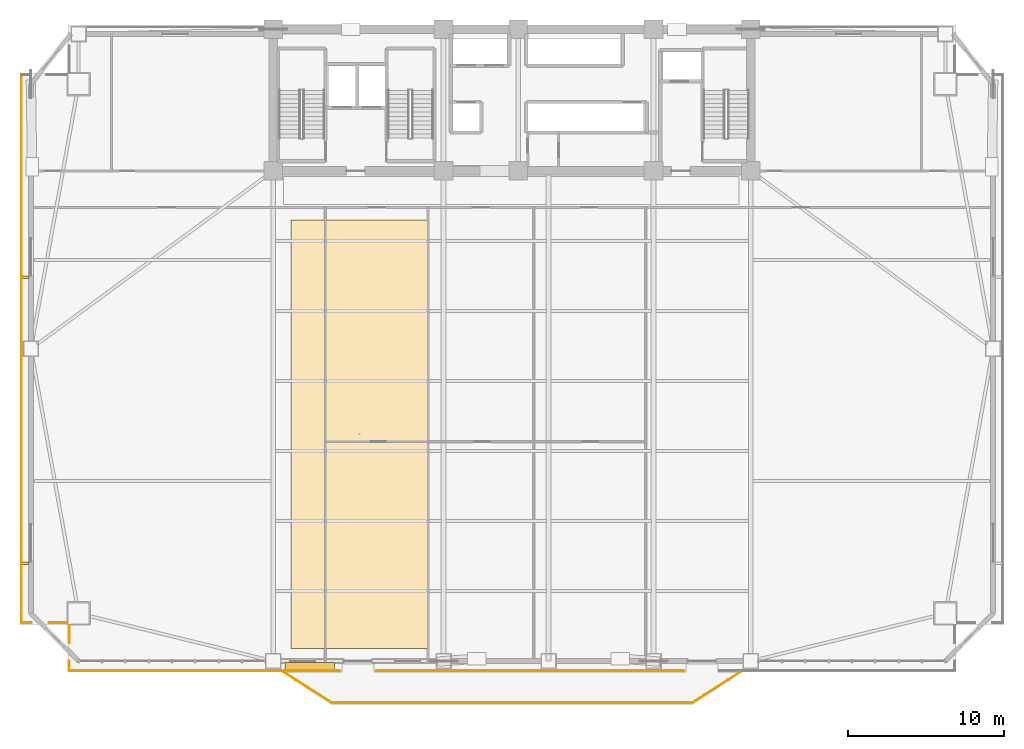
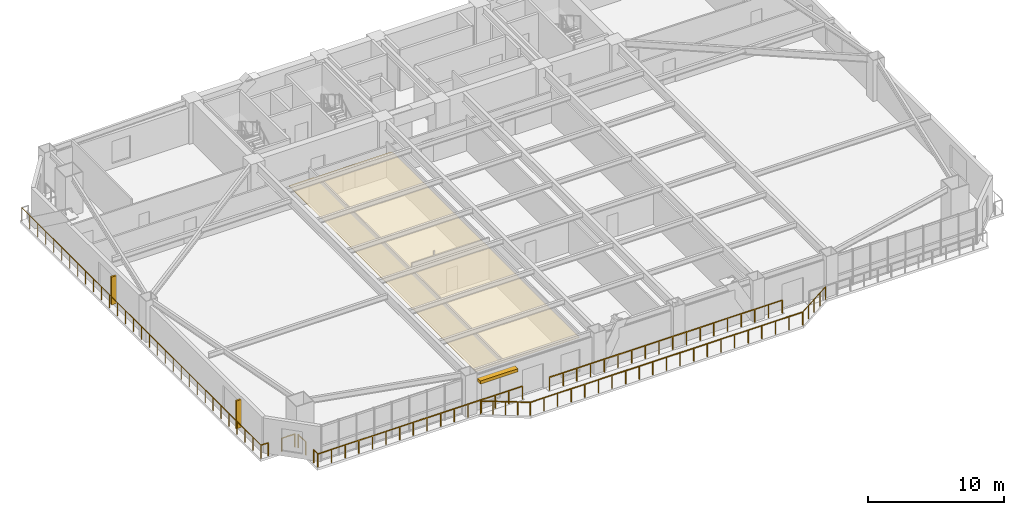
# One storey, part 12 of 16: 10 railings, 3 shading devices, 1 covering.
"""IFC4 building model written with IfcOpenShell, lengths in metres."""

import ifcopenshell
import ifcopenshell.guid

model = None  # the IFC model being written
_history = None  # IfcOwnerHistory: only IFC2X3 demands one
_inside = {}  # id of a spatial element -> (the spatial element, [elements in it])
_under = {}  # id of a project, library or spatial element -> (it, [spatial elements below it])
_declared = {}  # id of a project -> (the project, [libraries it declares])
_typed = {}  # id of a type object -> (the type object, [elements of that type])
_made_of = {}  # id of a material, layer set ... -> (it, [elements and type objects made of it])


def new_model(schema):
    """Start an empty IFC model of exactly this schema.

    Asked for "IFC4X3", IfcOpenShell would pick the latest addendum, in which some entities
    have other attributes; the version numbers below select the first issue.
    IFC2X3 requires an IfcOwnerHistory on every rooted entity: one is made here for all.
    """
    global model, _history
    if schema == "IFC4X3":
        model = ifcopenshell.file(schema_version=(4, 3, 0, 0))
    else:
        model = ifcopenshell.file(schema=schema)
    _inside.clear()
    _under.clear()
    _declared.clear()
    _typed.clear()
    _made_of.clear()
    _history = None
    if model.schema == "IFC2X3":
        org = make("IfcOrganization", Name="unknown")
        user = make(
            "IfcPersonAndOrganization",
            ThePerson=make("IfcPerson", FamilyName="unknown"),
            TheOrganization=org,
        )
        app = make(
            "IfcApplication",
            ApplicationDeveloper=org,
            Version="unknown",
            ApplicationFullName="unknown",
            ApplicationIdentifier="unknown",
        )
        _history = make(
            "IfcOwnerHistory",
            OwningUser=user,
            OwningApplication=app,
            ChangeAction="ADDED",
            CreationDate=0,
        )
    return model


def make(cls, **values):
    """One entity of the class cls with the attributes given. An attribute that is None is left unset."""
    return model.create_entity(
        cls, **{name: value for name, value in values.items() if value is not None}
    )


def rooted(cls, **values):
    """An entity with a GlobalId (a new one), such as an element, a storey or a relation."""
    return make(cls, GlobalId=ifcopenshell.guid.new(), OwnerHistory=_history, **values)


def si_unit(unit_type, name, prefix=None):
    """IfcSIUnit, for example si_unit("LENGTHUNIT", "METRE", prefix="MILLI")."""
    return make("IfcSIUnit", UnitType=unit_type, Prefix=prefix, Name=name)


def assignment(units):
    """IfcUnitAssignment: the units of a project."""
    return None if units is None else make("IfcUnitAssignment", Units=units)


def point(xyz):
    """IfcCartesianPoint."""
    return None if xyz is None else make("IfcCartesianPoint", Coordinates=xyz)


def direction(xyz):
    """IfcDirection."""
    return None if xyz is None else make("IfcDirection", DirectionRatios=xyz)


def frame(location, z_axis=None, x_axis=None):
    """IfcAxis2Placement3D, a coordinate frame: its origin and axes. An axis left out is left unset."""
    return make(
        "IfcAxis2Placement3D",
        Location=point(location),
        Axis=direction(z_axis),
        RefDirection=direction(x_axis),
    )


def frame_2d(location, x_axis=None):
    """IfcAxis2Placement2D, a coordinate frame in the plane: its origin and x axis."""
    return make(
        "IfcAxis2Placement2D", Location=point(location), RefDirection=direction(x_axis)
    )


def origin():
    """The frame at (0, 0, 0) with its axes left unset."""
    return frame((0.0, 0.0, 0.0))


def origin_2d():
    """The frame at (0, 0) in the plane with its x axis left unset."""
    return frame_2d((0.0, 0.0))


def place(relative_to, where):
    """IfcLocalPlacement: puts the frame where relative to a parent placement (None: the world)."""
    return make(
        "IfcLocalPlacement", PlacementRelTo=relative_to, RelativePlacement=where
    )


def context(
    kind, dimensions, precision=None, world=None, true_north=None, identifier=None
):
    """IfcGeometricRepresentationContext, for example the 3D "Model" context."""
    return make(
        "IfcGeometricRepresentationContext",
        ContextIdentifier=identifier,
        ContextType=kind,
        CoordinateSpaceDimension=dimensions,
        Precision=precision,
        WorldCoordinateSystem=world,
        TrueNorth=true_north,
    )


def subcontext(parent, identifier, kind, view, scale=None):
    """IfcGeometricRepresentationSubContext, for example "Body" below "Model"."""
    return make(
        "IfcGeometricRepresentationSubContext",
        ContextIdentifier=identifier,
        ContextType=kind,
        ParentContext=parent,
        TargetScale=scale,
        TargetView=view,
    )


def project(units=None, contexts=None):
    """IfcProject with its units and contexts."""
    return rooted(
        "IfcProject",
        Name="project",
        RepresentationContexts=contexts,
        UnitsInContext=assignment(units),
    )


def spatial(cls, under=None, at=None, **own):
    """A site, building, storey or space (cls), placed at a placement, below another one or the project."""
    s = rooted(cls, ObjectPlacement=at, **own)
    if under is not None:
        _under.setdefault(under.id(), (under, []))[1].append(s)
    return s


def polyline(points):
    """IfcPolyline through the points."""
    return make("IfcPolyline", Points=[point(p) for p in points])


def profile(cls, at=None, kind="AREA", **sizes):
    """A parametric profile (cls). Its sizes go by their IFC names, for example OverallWidth=200.0."""
    return make(cls, ProfileType=kind, Position=at, **sizes)


def rectangle(**sizes):
    """IfcRectangleProfileDef."""
    return profile("IfcRectangleProfileDef", **sizes)


def outline(outer, holes=None, kind="AREA"):
    """IfcArbitraryClosedProfileDef: a profile drawn as a closed curve; with holes, ...WithVoids."""
    if holes is None:
        return make("IfcArbitraryClosedProfileDef", ProfileType=kind, OuterCurve=outer)
    return make(
        "IfcArbitraryProfileDefWithVoids",
        ProfileType=kind,
        OuterCurve=outer,
        InnerCurves=holes,
    )


def extrude(swept, where, along, depth):
    """IfcExtrudedAreaSolid: the profile swept, set in the frame where, extruded along a direction by depth."""
    return make(
        "IfcExtrudedAreaSolid",
        SweptArea=swept,
        Position=where,
        ExtrudedDirection=direction(along),
        Depth=depth,
    )


def shape(context_of_items, identifier, shape_type, items):
    """IfcShapeRepresentation: the items that make up one representation, for example the "Body"."""
    return make(
        "IfcShapeRepresentation",
        ContextOfItems=context_of_items,
        RepresentationIdentifier=identifier,
        RepresentationType=shape_type,
        Items=items,
    )


def source(mapping_origin, context_of_items, identifier, shape_type, items):
    """IfcRepresentationMap: a shape defined once, which mapped items show again and again."""
    return make(
        "IfcRepresentationMap",
        MappingOrigin=mapping_origin,
        MappedRepresentation=shape(context_of_items, identifier, shape_type, items),
    )


def transform(
    local_origin,
    x_axis=None,
    y_axis=None,
    z_axis=None,
    scale=None,
    scale2=None,
    scale3=None,
    uniform=True,
):
    """IfcCartesianTransformationOperator3D, or its non-uniform kind. x_axis, y_axis, z_axis: its Axis1, 2, 3."""
    if uniform:
        return make(
            "IfcCartesianTransformationOperator3D",
            Axis1=direction(x_axis),
            Axis2=direction(y_axis),
            LocalOrigin=point(local_origin),
            Scale=scale,
            Axis3=direction(z_axis),
        )
    return make(
        "IfcCartesianTransformationOperator3DnonUniform",
        Axis1=direction(x_axis),
        Axis2=direction(y_axis),
        LocalOrigin=point(local_origin),
        Scale=scale,
        Axis3=direction(z_axis),
        Scale2=scale2,
        Scale3=scale3,
    )


def mapped(mapping_source, mapping_target):
    """IfcMappedItem: shows the shape of a source again, moved by a transform."""
    return make(
        "IfcMappedItem", MappingSource=mapping_source, MappingTarget=mapping_target
    )


def material(Name=None, Category=None):
    """IfcMaterial."""
    return make("IfcMaterial", Name=Name, Category=Category)


def layer(
    of_material, thickness, ventilated=None, Name=None, Category=None, Priority=None
):
    """IfcMaterialLayer: one layer of a wall or slab, of a material (None: an air gap)."""
    return make(
        "IfcMaterialLayer",
        Material=of_material,
        LayerThickness=thickness,
        IsVentilated=ventilated,
        Name=Name,
        Category=Category,
        Priority=Priority,
    )


def layer_set(layers, Name=None):
    """IfcMaterialLayerSet."""
    return make("IfcMaterialLayerSet", MaterialLayers=layers, LayerSetName=Name)


def made_of(thing, what):
    """Note that an element or type object is made of a material, layer set ...; save() writes the relation."""
    if what is not None:
        _made_of.setdefault(what.id(), (what, []))[1].append(thing)
    return thing


def type_object(cls, material=None, **own):
    """A type object (cls), such as IfcWallType, which elements share."""
    return made_of(rooted(cls, **own), material)


def element(
    cls,
    number,
    at=None,
    inside=None,
    cuts=None,
    type_object=None,
    material=None,
    context=None,
    identifier="Body",
    shape_type=None,
    held_by="IfcProductDefinitionShape",
    body=None,
    shapes=None,
    **own,
):
    """One element of the class cls, such as IfcWall. Its Tag is "e" and its number.

    at: its placement. inside: the storey or other place that contains it. cuts: it is an
    opening in that element (IfcRelVoidsElement). A single representation is given by context,
    identifier, shape_type and body (its items); several are given by shapes. held_by: the class
    of the entity that holds the representations. save() writes the other relations.
    """
    e = rooted(cls, Tag="e%d" % number, ObjectPlacement=at, **own)
    if body is not None:
        shapes = [shape(context, identifier, shape_type, body)]
    if shapes is not None:
        e.Representation = make(held_by, Representations=shapes)
    if inside is not None:
        _inside.setdefault(inside.id(), (inside, []))[1].append(e)
    if cuts is not None:
        rooted(
            "IfcRelVoidsElement", RelatingBuildingElement=cuts, RelatedOpeningElement=e
        )
    if type_object is not None:
        _typed.setdefault(type_object.id(), (type_object, []))[1].append(e)
    return made_of(e, material)


def aggregate(whole, parts):
    """IfcRelAggregates: a whole, such as a stair, and the parts it consists of."""
    return rooted("IfcRelAggregates", RelatingObject=whole, RelatedObjects=parts)


def save(model, path):
    """Write the relations noted so far, then the file.

    IfcRelAggregates (storeys below a building ...), IfcRelContainedInSpatialStructure (elements
    in a storey), IfcRelDefinesByType, IfcRelAssociatesMaterial and IfcRelDeclares: one each for
    every whole, place, type object, material and project.
    """
    for whole, parts in _under.values():
        aggregate(whole, parts)
    for where, things in _inside.values():
        rooted(
            "IfcRelContainedInSpatialStructure",
            RelatedElements=things,
            RelatingStructure=where,
        )
    for kind, things in _typed.values():
        rooted("IfcRelDefinesByType", RelatedObjects=things, RelatingType=kind)
    for what, things in _made_of.values():
        rooted("IfcRelAssociatesMaterial", RelatedObjects=things, RelatingMaterial=what)
    for by, libraries in _declared.values():
        rooted("IfcRelDeclares", RelatingContext=by, RelatedDefinitions=libraries)
    model.write(path)


model = new_model("IFC4")

# Units and contexts
model_context = context("Model", 3, precision=1e-05, world=origin(), true_north=direction((0.0, 1.0)))
body_context = subcontext(model_context, "Body", "Model", "MODEL_VIEW")
ifc_project = project(units=[si_unit("LENGTHUNIT", "METRE"), si_unit("AREAUNIT", "SQUARE_METRE"), si_unit("VOLUMEUNIT", "CUBIC_METRE"), si_unit("PLANEANGLEUNIT", "RADIAN"), si_unit("MASSUNIT", "GRAM", prefix="KILO")], contexts=[model_context])

# Site, building, storey
site_placement = place(None, origin())
site = spatial("IfcSite", under=ifc_project, at=site_placement, CompositionType="ELEMENT")
building_placement = place(site_placement, origin())
building = spatial("IfcBuilding", under=site, at=building_placement, Name="Giltprow Tower", CompositionType="ELEMENT")
storey_placement = place(building_placement, frame((0.0, 0.0, 87.39990234375)))
storey = spatial("IfcBuildingStorey", under=building, at=storey_placement, Name="L21", CompositionType="ELEMENT", Elevation=87.39990234375)

# Covering
ifc_material_1 = material(Name="Acoustic mineral fibre", Category="gypsum")
ifc_layer = layer(ifc_material_1, 0.030029296875, Name="Acoustic mineral fibre")
ifc_layer_set = layer_set([ifc_layer], Name="Acoustic mineral fibre")
covering_type = type_object("IfcCoveringType", Name="COV-CLG-ACOUSTIC", PredefinedType="CEILING", material=ifc_layer_set)
covering_placement = place(storey_placement, frame((0.0, 0.0, 2.72021484375)))
element("IfcCovering", 1, at=covering_placement, inside=storey, type_object=covering_type, Name="L21 Office Acoustic Ceiling", PredefinedType="CEILING", context=body_context, shape_type="SweptSolid", body=[
    extrude(outline(polyline([(21.0, 6.736083984375), (29.800048828125, 6.736083984375), (29.800048828125, 34.300048828125), (21.0, 34.300048828125), (21.0, 6.736083984375)])), origin(), (0.0, 0.0, 1.0), 0.02978515625),
])

# Railings
ifc_material_2 = material(Name="Anodized bronze", Category="metal")
railing_type = type_object("IfcRailingType", Name="RAIL-BALC-GUARD-1200", PredefinedType="BALUSTRADE", material=ifc_material_2)
railing_1_placement = place(storey_placement, frame((20.52001953125, 5.236083984375, 0.0)))
element("IfcRailing", 2, at=railing_1_placement, inside=storey, type_object=railing_type, Name="L21 Waterfront Balcony Balustrade Seg 1", PredefinedType="BALUSTRADE", context=body_context, shape_type="SweptSolid", body=[
    extrude(rectangle(XDim=0.048095703125, YDim=0.048095703125, at=origin_2d()), frame((0.0, 0.0, 1.17578125), z_axis=(0.84277487735, -0.538266203757, 0.0), x_axis=(0.538266203757, 0.84277487735, 0.0)), (0.0, 0.0, 1.0), 3.678466796875),
    extrude(rectangle(XDim=0.0419921875, YDim=0.0419921875, at=origin_2d()), origin(), (0.0, 0.0, 1.0), 1.15185546875),
    extrude(rectangle(XDim=0.0419921875, YDim=0.0419921875, at=origin_2d()), frame((0.77490234375, -0.4951171875, 0.0)), (0.0, 0.0, 1.0), 1.15185546875),
    extrude(rectangle(XDim=0.0419921875, YDim=0.0419921875, at=origin_2d()), frame((1.550048828125, -0.989990234375, 0.0)), (0.0, 0.0, 1.0), 1.15185546875),
    extrude(rectangle(XDim=0.0419921875, YDim=0.0419921875, at=origin_2d()), frame((2.3251953125, -1.48486328125, 0.0)), (0.0, 0.0, 1.0), 1.15185546875),
    extrude(rectangle(XDim=0.0419921875, YDim=0.0419921875, at=origin_2d()), frame((3.10009765625, -1.97998046875, 0.0)), (0.0, 0.0, 1.0), 1.15185546875),
])
railing_2_placement = place(storey_placement, frame((23.6201171875, 3.256103515625, 0.0)))
element("IfcRailing", 3, at=railing_2_placement, inside=storey, type_object=railing_type, Name="L21 Waterfront Balcony Balustrade Seg 2", PredefinedType="BALUSTRADE", context=body_context, shape_type="SweptSolid", body=[
    extrude(rectangle(XDim=0.048095703125, YDim=0.048095703125, at=origin_2d()), frame((0.0, 0.0, 1.17578125), z_axis=(1.0, 0.0, 0.0), x_axis=(0.0, 1.0, 0.0)), (0.0, 0.0, 1.0), 23.159912109375),
    extrude(rectangle(XDim=0.0419921875, YDim=0.0419921875, at=origin_2d()), origin(), (0.0, 0.0, 1.0), 1.15185546875),
    extrude(rectangle(XDim=0.0419921875, YDim=0.0419921875, at=origin_2d()), frame((1.157958984375, 0.0, 0.0)), (0.0, 0.0, 1.0), 1.15185546875),
    extrude(rectangle(XDim=0.0419921875, YDim=0.0419921875, at=origin_2d()), frame((2.31591796875, 0.0, 0.0)), (0.0, 0.0, 1.0), 1.15185546875),
    extrude(rectangle(XDim=0.0419921875, YDim=0.0419921875, at=origin_2d()), frame((3.473876953125, 0.0, 0.0)), (0.0, 0.0, 1.0), 1.15185546875),
    extrude(rectangle(XDim=0.0419921875, YDim=0.0419921875, at=origin_2d()), frame((4.632080078125, 0.0, 0.0)), (0.0, 0.0, 1.0), 1.15185546875),
    extrude(rectangle(XDim=0.0419921875, YDim=0.0419921875, at=origin_2d()), frame((5.7900390625, 0.0, 0.0)), (0.0, 0.0, 1.0), 1.15185546875),
    extrude(rectangle(XDim=0.0419921875, YDim=0.0419921875, at=origin_2d()), frame((6.947998046875, 0.0, 0.0)), (0.0, 0.0, 1.0), 1.15185546875),
    extrude(rectangle(XDim=0.0419921875, YDim=0.0419921875, at=origin_2d()), frame((8.10595703125, 0.0, 0.0)), (0.0, 0.0, 1.0), 1.15185546875),
    extrude(rectangle(XDim=0.0419921875, YDim=0.0419921875, at=origin_2d()), frame((9.263916015625, 0.0, 0.0)), (0.0, 0.0, 1.0), 1.15185546875),
    extrude(rectangle(XDim=0.0419921875, YDim=0.0419921875, at=origin_2d()), frame((10.421875, 0.0, 0.0)), (0.0, 0.0, 1.0), 1.15185546875),
    extrude(rectangle(XDim=0.0419921875, YDim=0.0419921875, at=origin_2d()), frame((11.580078125, 0.0, 0.0)), (0.0, 0.0, 1.0), 1.15185546875),
    extrude(rectangle(XDim=0.0419921875, YDim=0.0419921875, at=origin_2d()), frame((12.738037109375, 0.0, 0.0)), (0.0, 0.0, 1.0), 1.15185546875),
    extrude(rectangle(XDim=0.0419921875, YDim=0.0419921875, at=origin_2d()), frame((13.89599609375, 0.0, 0.0)), (0.0, 0.0, 1.0), 1.15185546875),
    extrude(rectangle(XDim=0.0419921875, YDim=0.0419921875, at=origin_2d()), frame((15.053955078125, 0.0, 0.0)), (0.0, 0.0, 1.0), 1.15185546875),
    extrude(rectangle(XDim=0.0419921875, YDim=0.0419921875, at=origin_2d()), frame((16.2119140625, 0.0, 0.0)), (0.0, 0.0, 1.0), 1.15185546875),
    extrude(rectangle(XDim=0.0419921875, YDim=0.0419921875, at=origin_2d()), frame((17.369873046875, 0.0, 0.0)), (0.0, 0.0, 1.0), 1.15185546875),
    extrude(rectangle(XDim=0.0419921875, YDim=0.0419921875, at=origin_2d()), frame((18.52783203125, 0.0, 0.0)), (0.0, 0.0, 1.0), 1.15185546875),
    extrude(rectangle(XDim=0.0419921875, YDim=0.0419921875, at=origin_2d()), frame((19.68603515625, 0.0, 0.0)), (0.0, 0.0, 1.0), 1.15185546875),
    extrude(rectangle(XDim=0.0419921875, YDim=0.0419921875, at=origin_2d()), frame((20.843994140625, 0.0, 0.0)), (0.0, 0.0, 1.0), 1.15185546875),
    extrude(rectangle(XDim=0.0419921875, YDim=0.0419921875, at=origin_2d()), frame((22.001953125, 0.0, 0.0)), (0.0, 0.0, 1.0), 1.15185546875),
    extrude(rectangle(XDim=0.0419921875, YDim=0.0419921875, at=origin_2d()), frame((23.159912109375, 0.0, 0.0)), (0.0, 0.0, 1.0), 1.15185546875),
])
railing_3_placement = place(storey_placement, frame((46.780029296875, 3.256103515625, 0.0)))
element("IfcRailing", 4, at=railing_3_placement, inside=storey, type_object=railing_type, Name="L21 Waterfront Balcony Balustrade Seg 3", PredefinedType="BALUSTRADE", context=body_context, shape_type="SweptSolid", body=[
    extrude(rectangle(XDim=0.048095703125, YDim=0.048095703125, at=origin_2d()), frame((0.0, 0.0, 1.17578125), z_axis=(0.842755646126, 0.538296313309, 0.0), x_axis=(-0.538296313309, 0.842755646126, 0.0)), (0.0, 0.0, 1.0), 3.67822265625),
    extrude(rectangle(XDim=0.0419921875, YDim=0.0419921875, at=origin_2d()), origin(), (0.0, 0.0, 1.0), 1.15185546875),
    extrude(rectangle(XDim=0.0419921875, YDim=0.0419921875, at=origin_2d()), frame((0.77490234375, 0.4951171875, 0.0)), (0.0, 0.0, 1.0), 1.15185546875),
    extrude(rectangle(XDim=0.0419921875, YDim=0.0419921875, at=origin_2d()), frame((1.5498046875, 0.989990234375, 0.0)), (0.0, 0.0, 1.0), 1.15185546875),
    extrude(rectangle(XDim=0.0419921875, YDim=0.0419921875, at=origin_2d()), frame((2.324951171875, 1.48486328125, 0.0)), (0.0, 0.0, 1.0), 1.15185546875),
    extrude(rectangle(XDim=0.0419921875, YDim=0.0419921875, at=origin_2d()), frame((3.099853515625, 1.97998046875, 0.0)), (0.0, 0.0, 1.0), 1.15185546875),
])
railing_4_placement = place(storey_placement, frame((6.7451171875, 5.3359375, 0.0)))
element("IfcRailing", 5, at=railing_4_placement, inside=storey, type_object=railing_type, Name="L21 Corner Apron Edge Balustrade 1", PredefinedType="BALUSTRADE", context=body_context, shape_type="SweptSolid", body=[
    extrude(rectangle(XDim=0.048095703125, YDim=0.048095703125, at=origin_2d()), frame((0.0, 0.0, 1.17578125), z_axis=(0.0, 1.0, 0.0), x_axis=(-1.0, 0.0, 0.0)), (0.0, 0.0, 1.0), 0.6201171875),
    extrude(rectangle(XDim=0.0419921875, YDim=0.0419921875, at=origin_2d()), origin(), (0.0, 0.0, 1.0), 1.15185546875),
    extrude(rectangle(XDim=0.0419921875, YDim=0.0419921875, at=origin_2d()), frame((0.0, 0.6201171875, 0.0)), (0.0, 0.0, 1.0), 1.15185546875),
])
railing_5_placement = place(storey_placement, frame((6.7451171875, 7.115966796875, 0.0)))
element("IfcRailing", 6, at=railing_5_placement, inside=storey, type_object=railing_type, Name="L21 Corner Apron Edge Balustrade 2", PredefinedType="BALUSTRADE", context=body_context, shape_type="SweptSolid", body=[
    extrude(rectangle(XDim=0.048095703125, YDim=0.048095703125, at=origin_2d()), frame((0.0, 0.0, 1.17578125), z_axis=(0.0, 1.0, 0.0), x_axis=(-1.0, 0.0, 0.0)), (0.0, 0.0, 1.0), 1.10498046875),
    extrude(rectangle(XDim=0.0419921875, YDim=0.0419921875, at=origin_2d()), origin(), (0.0, 0.0, 1.0), 1.15185546875),
    extrude(rectangle(XDim=0.0419921875, YDim=0.0419921875, at=origin_2d()), frame((0.0, 1.10498046875, 0.0)), (0.0, 0.0, 1.0), 1.15185546875),
])
railing_6_placement = place(storey_placement, frame((6.56005859375, 8.406005859375, 0.0)))
element("IfcRailing", 7, at=railing_6_placement, inside=storey, type_object=railing_type, Name="L21 Corner Apron Edge Balustrade 3", PredefinedType="BALUSTRADE", context=body_context, shape_type="SweptSolid", body=[
    extrude(rectangle(XDim=0.048095703125, YDim=0.048095703125, at=origin_2d()), frame((0.0, 0.0, 1.17578125), z_axis=(-1.0, 0.0, 0.0), x_axis=(0.0, -1.0, 0.0)), (0.0, 0.0, 1.0), 1.10498046875),
    extrude(rectangle(XDim=0.0419921875, YDim=0.0419921875, at=origin_2d()), origin(), (0.0, 0.0, 1.0), 1.15185546875),
    extrude(rectangle(XDim=0.0419921875, YDim=0.0419921875, at=origin_2d()), frame((-1.10498046875, 0.0, 0.0)), (0.0, 0.0, 1.0), 1.15185546875),
])
railing_7_placement = place(storey_placement, frame((4.294921875, 8.406005859375, 0.0)))
element("IfcRailing", 8, at=railing_7_placement, inside=storey, type_object=railing_type, Name="L21 Corner Apron Edge Balustrade 4", PredefinedType="BALUSTRADE", context=body_context, shape_type="SweptSolid", body=[
    extrude(rectangle(XDim=0.048095703125, YDim=0.048095703125, at=origin_2d()), frame((0.0, 0.0, 1.17578125), z_axis=(-1.0, 0.0, 0.0), x_axis=(0.0, -1.0, 0.0)), (0.0, 0.0, 1.0), 0.619873046875),
    extrude(rectangle(XDim=0.0419921875, YDim=0.0419921875, at=origin_2d()), origin(), (0.0, 0.0, 1.0), 1.15185546875),
    extrude(rectangle(XDim=0.0419921875, YDim=0.0419921875, at=origin_2d()), frame((-0.619873046875, 0.0, 0.0)), (0.0, 0.0, 1.0), 1.15185546875),
])
railing_8_placement = place(storey_placement, frame((3.675048828125, 8.406005859375, 0.0)))
element("IfcRailing", 9, at=railing_8_placement, inside=storey, type_object=railing_type, Name="L21 Corner Apron Edge Balustrade 5", PredefinedType="BALUSTRADE", context=body_context, shape_type="SweptSolid", body=[
    extrude(rectangle(XDim=0.048095703125, YDim=0.048095703125, at=origin_2d()), frame((0.0, 0.0, 1.17578125), z_axis=(0.0, 1.0, 0.0), x_axis=(-1.0, 0.0, 0.0)), (0.0, 0.0, 1.0), 35.223876953125),
    extrude(rectangle(XDim=0.0419921875, YDim=0.0419921875, at=origin_2d()), origin(), (0.0, 0.0, 1.0), 1.15185546875),
    extrude(rectangle(XDim=0.0419921875, YDim=0.0419921875, at=origin_2d()), frame((0.0, 1.174072265625, 0.0)), (0.0, 0.0, 1.0), 1.15185546875),
    extrude(rectangle(XDim=0.0419921875, YDim=0.0419921875, at=origin_2d()), frame((0.0, 2.34814453125, 0.0)), (0.0, 0.0, 1.0), 1.15185546875),
    extrude(rectangle(XDim=0.0419921875, YDim=0.0419921875, at=origin_2d()), frame((0.0, 3.5224609375, 0.0)), (0.0, 0.0, 1.0), 1.15185546875),
    extrude(rectangle(XDim=0.0419921875, YDim=0.0419921875, at=origin_2d()), frame((0.0, 4.696533203125, 0.0)), (0.0, 0.0, 1.0), 1.15185546875),
    extrude(rectangle(XDim=0.0419921875, YDim=0.0419921875, at=origin_2d()), frame((0.0, 5.87060546875, 0.0)), (0.0, 0.0, 1.0), 1.15185546875),
    extrude(rectangle(XDim=0.0419921875, YDim=0.0419921875, at=origin_2d()), frame((0.0, 7.044677734375, 0.0)), (0.0, 0.0, 1.0), 1.15185546875),
    extrude(rectangle(XDim=0.0419921875, YDim=0.0419921875, at=origin_2d()), frame((0.0, 8.218994140625, 0.0)), (0.0, 0.0, 1.0), 1.15185546875),
    extrude(rectangle(XDim=0.0419921875, YDim=0.0419921875, at=origin_2d()), frame((0.0, 9.39306640625, 0.0)), (0.0, 0.0, 1.0), 1.15185546875),
    extrude(rectangle(XDim=0.0419921875, YDim=0.0419921875, at=origin_2d()), frame((0.0, 10.567138671875, 0.0)), (0.0, 0.0, 1.0), 1.15185546875),
    extrude(rectangle(XDim=0.0419921875, YDim=0.0419921875, at=origin_2d()), frame((0.0, 11.7412109375, 0.0)), (0.0, 0.0, 1.0), 1.15185546875),
    extrude(rectangle(XDim=0.0419921875, YDim=0.0419921875, at=origin_2d()), frame((0.0, 12.91552734375, 0.0)), (0.0, 0.0, 1.0), 1.15185546875),
    extrude(rectangle(XDim=0.0419921875, YDim=0.0419921875, at=origin_2d()), frame((0.0, 14.089599609375, 0.0)), (0.0, 0.0, 1.0), 1.15185546875),
    extrude(rectangle(XDim=0.0419921875, YDim=0.0419921875, at=origin_2d()), frame((0.0, 15.263671875, 0.0)), (0.0, 0.0, 1.0), 1.15185546875),
    extrude(rectangle(XDim=0.0419921875, YDim=0.0419921875, at=origin_2d()), frame((0.0, 16.437744140625, 0.0)), (0.0, 0.0, 1.0), 1.15185546875),
    extrude(rectangle(XDim=0.0419921875, YDim=0.0419921875, at=origin_2d()), frame((0.0, 17.61181640625, 0.0)), (0.0, 0.0, 1.0), 1.15185546875),
    extrude(rectangle(XDim=0.0419921875, YDim=0.0419921875, at=origin_2d()), frame((0.0, 18.7861328125, 0.0)), (0.0, 0.0, 1.0), 1.15185546875),
    extrude(rectangle(XDim=0.0419921875, YDim=0.0419921875, at=origin_2d()), frame((0.0, 19.960205078125, 0.0)), (0.0, 0.0, 1.0), 1.15185546875),
    extrude(rectangle(XDim=0.0419921875, YDim=0.0419921875, at=origin_2d()), frame((0.0, 21.13427734375, 0.0)), (0.0, 0.0, 1.0), 1.15185546875),
    extrude(rectangle(XDim=0.0419921875, YDim=0.0419921875, at=origin_2d()), frame((0.0, 22.308349609375, 0.0)), (0.0, 0.0, 1.0), 1.15185546875),
    extrude(rectangle(XDim=0.0419921875, YDim=0.0419921875, at=origin_2d()), frame((0.0, 23.482666015625, 0.0)), (0.0, 0.0, 1.0), 1.15185546875),
    extrude(rectangle(XDim=0.0419921875, YDim=0.0419921875, at=origin_2d()), frame((0.0, 24.65673828125, 0.0)), (0.0, 0.0, 1.0), 1.15185546875),
    extrude(rectangle(XDim=0.0419921875, YDim=0.0419921875, at=origin_2d()), frame((0.0, 25.830810546875, 0.0)), (0.0, 0.0, 1.0), 1.15185546875),
    extrude(rectangle(XDim=0.0419921875, YDim=0.0419921875, at=origin_2d()), frame((0.0, 27.0048828125, 0.0)), (0.0, 0.0, 1.0), 1.15185546875),
    extrude(rectangle(XDim=0.0419921875, YDim=0.0419921875, at=origin_2d()), frame((0.0, 28.17919921875, 0.0)), (0.0, 0.0, 1.0), 1.15185546875),
    extrude(rectangle(XDim=0.0419921875, YDim=0.0419921875, at=origin_2d()), frame((0.0, 29.353271484375, 0.0)), (0.0, 0.0, 1.0), 1.15185546875),
    extrude(rectangle(XDim=0.0419921875, YDim=0.0419921875, at=origin_2d()), frame((0.0, 30.52734375, 0.0)), (0.0, 0.0, 1.0), 1.15185546875),
    extrude(rectangle(XDim=0.0419921875, YDim=0.0419921875, at=origin_2d()), frame((0.0, 31.701416015625, 0.0)), (0.0, 0.0, 1.0), 1.15185546875),
    extrude(rectangle(XDim=0.0419921875, YDim=0.0419921875, at=origin_2d()), frame((0.0, 32.875732421875, 0.0)), (0.0, 0.0, 1.0), 1.15185546875),
    extrude(rectangle(XDim=0.0419921875, YDim=0.0419921875, at=origin_2d()), frame((0.0, 34.0498046875, 0.0)), (0.0, 0.0, 1.0), 1.15185546875),
    extrude(rectangle(XDim=0.0419921875, YDim=0.0419921875, at=origin_2d()), frame((0.0, 35.223876953125, 0.0)), (0.0, 0.0, 1.0), 1.15185546875),
])
railing_9_placement = place(storey_placement, frame((46.25, 5.3359375, 0.0)))
element("IfcRailing", 10, at=railing_9_placement, inside=storey, type_object=railing_type, Name="L21 Corner Apron Edge Balustrade 20", PredefinedType="BALUSTRADE", context=body_context, shape_type="SweptSolid", body=[
    extrude(rectangle(XDim=0.048095703125, YDim=0.048095703125, at=origin_2d()), frame((0.0, 0.0, 1.17578125), z_axis=(-1.0, 0.0, 0.0), x_axis=(0.0, -1.0, 0.0)), (0.0, 0.0, 1.0), 19.800048828125),
    extrude(rectangle(XDim=0.0419921875, YDim=0.0419921875, at=origin_2d()), origin(), (0.0, 0.0, 1.0), 1.15185546875),
    extrude(rectangle(XDim=0.0419921875, YDim=0.0419921875, at=origin_2d()), frame((-1.164794921875, 0.0, 0.0)), (0.0, 0.0, 1.0), 1.15185546875),
    extrude(rectangle(XDim=0.0419921875, YDim=0.0419921875, at=origin_2d()), frame((-2.329345703125, 0.0, 0.0)), (0.0, 0.0, 1.0), 1.15185546875),
    extrude(rectangle(XDim=0.0419921875, YDim=0.0419921875, at=origin_2d()), frame((-3.494140625, 0.0, 0.0)), (0.0, 0.0, 1.0), 1.15185546875),
    extrude(rectangle(XDim=0.0419921875, YDim=0.0419921875, at=origin_2d()), frame((-4.658935546875, 0.0, 0.0)), (0.0, 0.0, 1.0), 1.15185546875),
    extrude(rectangle(XDim=0.0419921875, YDim=0.0419921875, at=origin_2d()), frame((-5.823486328125, 0.0, 0.0)), (0.0, 0.0, 1.0), 1.15185546875),
    extrude(rectangle(XDim=0.0419921875, YDim=0.0419921875, at=origin_2d()), frame((-6.98828125, 0.0, 0.0)), (0.0, 0.0, 1.0), 1.15185546875),
    extrude(rectangle(XDim=0.0419921875, YDim=0.0419921875, at=origin_2d()), frame((-8.153076171875, 0.0, 0.0)), (0.0, 0.0, 1.0), 1.15185546875),
    extrude(rectangle(XDim=0.0419921875, YDim=0.0419921875, at=origin_2d()), frame((-9.317626953125, 0.0, 0.0)), (0.0, 0.0, 1.0), 1.15185546875),
    extrude(rectangle(XDim=0.0419921875, YDim=0.0419921875, at=origin_2d()), frame((-10.482421875, 0.0, 0.0)), (0.0, 0.0, 1.0), 1.15185546875),
    extrude(rectangle(XDim=0.0419921875, YDim=0.0419921875, at=origin_2d()), frame((-11.64697265625, 0.0, 0.0)), (0.0, 0.0, 1.0), 1.15185546875),
    extrude(rectangle(XDim=0.0419921875, YDim=0.0419921875, at=origin_2d()), frame((-12.811767578125, 0.0, 0.0)), (0.0, 0.0, 1.0), 1.15185546875),
    extrude(rectangle(XDim=0.0419921875, YDim=0.0419921875, at=origin_2d()), frame((-13.9765625, 0.0, 0.0)), (0.0, 0.0, 1.0), 1.15185546875),
    extrude(rectangle(XDim=0.0419921875, YDim=0.0419921875, at=origin_2d()), frame((-15.14111328125, 0.0, 0.0)), (0.0, 0.0, 1.0), 1.15185546875),
    extrude(rectangle(XDim=0.0419921875, YDim=0.0419921875, at=origin_2d()), frame((-16.305908203125, 0.0, 0.0)), (0.0, 0.0, 1.0), 1.15185546875),
    extrude(rectangle(XDim=0.0419921875, YDim=0.0419921875, at=origin_2d()), frame((-17.470703125, 0.0, 0.0)), (0.0, 0.0, 1.0), 1.15185546875),
    extrude(rectangle(XDim=0.0419921875, YDim=0.0419921875, at=origin_2d()), frame((-18.63525390625, 0.0, 0.0)), (0.0, 0.0, 1.0), 1.15185546875),
    extrude(rectangle(XDim=0.0419921875, YDim=0.0419921875, at=origin_2d()), frame((-19.800048828125, 0.0, 0.0)), (0.0, 0.0, 1.0), 1.15185546875),
])
railing_10_placement = place(storey_placement, frame((24.14990234375, 5.3359375, 0.0)))
element("IfcRailing", 11, at=railing_10_placement, inside=storey, type_object=railing_type, Name="L21 Corner Apron Edge Balustrade 21", PredefinedType="BALUSTRADE", context=body_context, shape_type="SweptSolid", body=[
    extrude(rectangle(XDim=0.048095703125, YDim=0.048095703125, at=origin_2d()), frame((0.0, 0.0, 1.17578125), z_axis=(-1.0, 0.0, 0.0), x_axis=(0.0, -1.0, 0.0)), (0.0, 0.0, 1.0), 17.40478515625),
    extrude(rectangle(XDim=0.0419921875, YDim=0.0419921875, at=origin_2d()), origin(), (0.0, 0.0, 1.0), 1.15185546875),
    extrude(rectangle(XDim=0.0419921875, YDim=0.0419921875, at=origin_2d()), frame((-1.160400390625, 0.0, 0.0)), (0.0, 0.0, 1.0), 1.15185546875),
    extrude(rectangle(XDim=0.0419921875, YDim=0.0419921875, at=origin_2d()), frame((-2.320556640625, 0.0, 0.0)), (0.0, 0.0, 1.0), 1.15185546875),
    extrude(rectangle(XDim=0.0419921875, YDim=0.0419921875, at=origin_2d()), frame((-3.48095703125, 0.0, 0.0)), (0.0, 0.0, 1.0), 1.15185546875),
    extrude(rectangle(XDim=0.0419921875, YDim=0.0419921875, at=origin_2d()), frame((-4.641357421875, 0.0, 0.0)), (0.0, 0.0, 1.0), 1.15185546875),
    extrude(rectangle(XDim=0.0419921875, YDim=0.0419921875, at=origin_2d()), frame((-5.801513671875, 0.0, 0.0)), (0.0, 0.0, 1.0), 1.15185546875),
    extrude(rectangle(XDim=0.0419921875, YDim=0.0419921875, at=origin_2d()), frame((-6.9619140625, 0.0, 0.0)), (0.0, 0.0, 1.0), 1.15185546875),
    extrude(rectangle(XDim=0.0419921875, YDim=0.0419921875, at=origin_2d()), frame((-8.122314453125, 0.0, 0.0)), (0.0, 0.0, 1.0), 1.15185546875),
    extrude(rectangle(XDim=0.0419921875, YDim=0.0419921875, at=origin_2d()), frame((-9.282470703125, 0.0, 0.0)), (0.0, 0.0, 1.0), 1.15185546875),
    extrude(rectangle(XDim=0.0419921875, YDim=0.0419921875, at=origin_2d()), frame((-10.44287109375, 0.0, 0.0)), (0.0, 0.0, 1.0), 1.15185546875),
    extrude(rectangle(XDim=0.0419921875, YDim=0.0419921875, at=origin_2d()), frame((-11.603271484375, 0.0, 0.0)), (0.0, 0.0, 1.0), 1.15185546875),
    extrude(rectangle(XDim=0.0419921875, YDim=0.0419921875, at=origin_2d()), frame((-12.763427734375, 0.0, 0.0)), (0.0, 0.0, 1.0), 1.15185546875),
    extrude(rectangle(XDim=0.0419921875, YDim=0.0419921875, at=origin_2d()), frame((-13.923828125, 0.0, 0.0)), (0.0, 0.0, 1.0), 1.15185546875),
    extrude(rectangle(XDim=0.0419921875, YDim=0.0419921875, at=origin_2d()), frame((-15.084228515625, 0.0, 0.0)), (0.0, 0.0, 1.0), 1.15185546875),
    extrude(rectangle(XDim=0.0419921875, YDim=0.0419921875, at=origin_2d()), frame((-16.244384765625, 0.0, 0.0)), (0.0, 0.0, 1.0), 1.15185546875),
    extrude(rectangle(XDim=0.0419921875, YDim=0.0419921875, at=origin_2d()), frame((-17.40478515625, 0.0, 0.0)), (0.0, 0.0, 1.0), 1.15185546875),
])

# Shading devices
shading_device_type_1 = type_object("IfcShadingDeviceType", Name="SHD-FIN-420", PredefinedType="USERDEFINED", material=ifc_material_2)
shared_shape_1 = source(origin(), body_context, "Body", "SweptSolid", [
    extrude(rectangle(XDim=0.419921875, YDim=0.159912109375, at=origin_2d()), origin(), (0.0, 0.0, 1.0), 2.5),
])
for number, where, z_axis, x_axis, name in (
    (12, (3.955078125, 12.218994140625, 0.35009765625), (0.0, 0.0, 1.0), (1.0, 0.0, 0.0), "L21 W Bronze Vertical Fin 1-1"),
    (13, (3.955078125, 30.59912109375, 0.35009765625), (0.0, 0.0, 1.0), (1.0, 0.0, 0.0), "L21 W Bronze Vertical Fin 2-1"),
):
    element("IfcShadingDevice", number, at=place(storey_placement, frame(where, z_axis=z_axis, x_axis=x_axis)), inside=storey, type_object=shading_device_type_1, Name=name, ObjectType="FIN", PredefinedType="USERDEFINED", context=body_context, shape_type="MappedRepresentation", body=[
        mapped(shared_shape_1, transform((0.0, 0.0, 0.0), x_axis=(1.0, 0.0, 0.0), y_axis=(0.0, 1.0, 0.0), z_axis=(0.0, 0.0, 1.0), scale=1.0)),
    ])
shading_device_type_2 = type_object("IfcShadingDeviceType", Name="SHD-LOUVRE-320", PredefinedType="JALOUSIE", material=ifc_material_2)
shared_shape_2 = source(origin(), body_context, "Body", "SweptSolid", [
    extrude(rectangle(XDim=3.199951171875, YDim=0.449951171875, at=origin_2d()), origin(), (0.0, 0.0, 1.0), 0.280029296875),
])
shading_device_placement = place(storey_placement, frame((22.199951171875, 5.615966796875, 2.56005859375), z_axis=(0.0, 0.0, 1.0), x_axis=(1.0, 0.0, 0.0)))
element("IfcShadingDevice", 14, at=shading_device_placement, inside=storey, type_object=shading_device_type_2, Name="L21 Bronze Sunshade Louvre S-2", PredefinedType="JALOUSIE", context=body_context, shape_type="MappedRepresentation", body=[
    mapped(shared_shape_2, transform((0.0, 0.0, 0.0), x_axis=(1.0, 0.0, 0.0), y_axis=(0.0, 1.0, 0.0), z_axis=(0.0, 0.0, 1.0), scale=1.0)),
])

save(model, "model.ifc")
